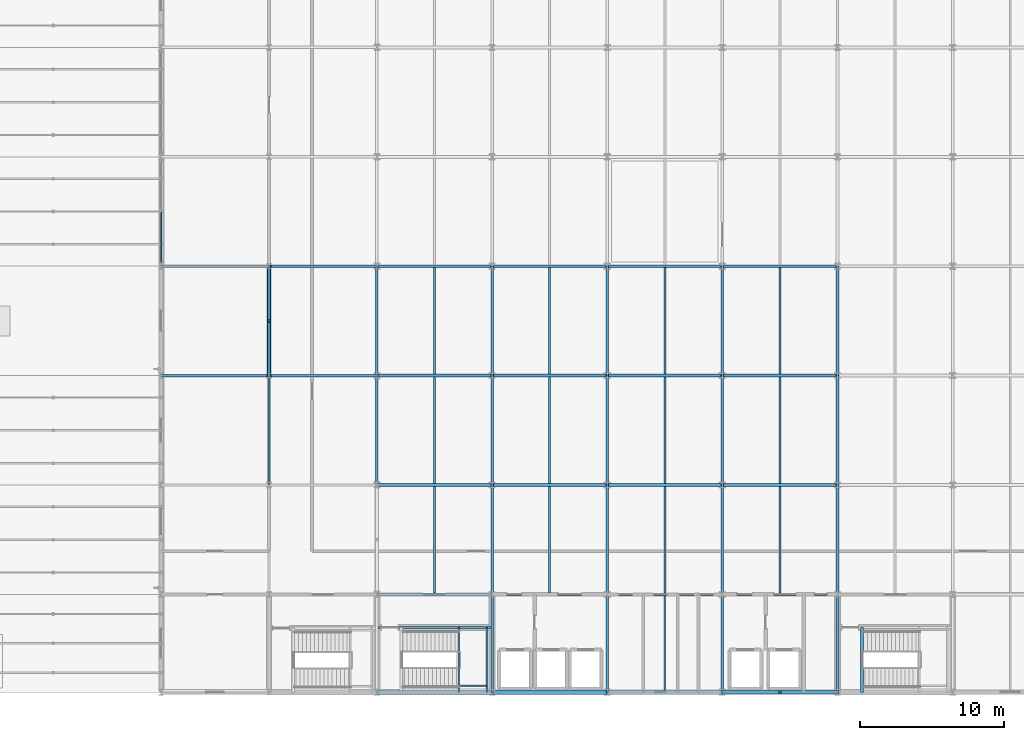
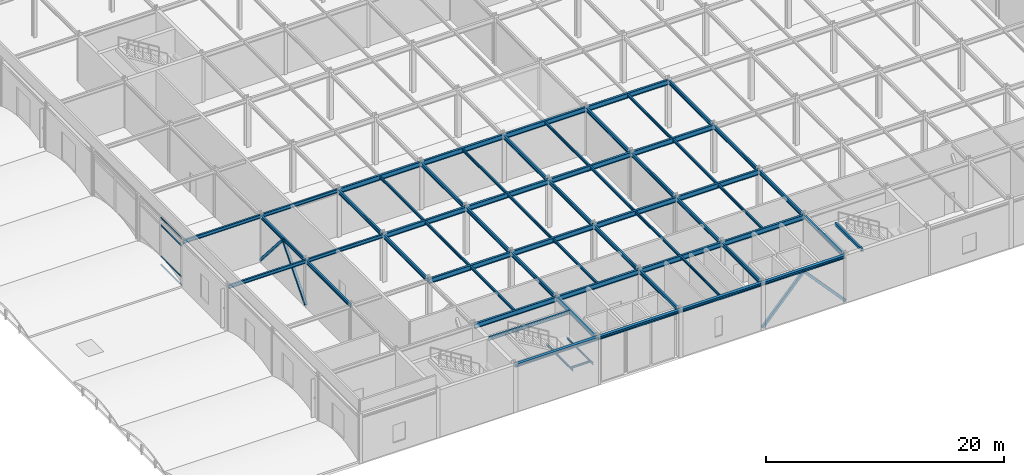
# One storey, part 17 of 79: 62 beams, 8 members, 1 element without a shape of its own.
"""IFC4 building model written with IfcOpenShell, lengths in metres."""

from ifc_helpers import new_model, si_unit, direction, frame, origin, origin_2d, place, context, subcontext, project, spatial, hollow_rectangle, i_section, extrude, material, layer, layer_set, material_profile, profile_set, type_object, element, aggregate, save


model = new_model("IFC4")

# Units and contexts
model_context = context("Model", 3, precision=1e-05, world=origin(), true_north=direction((0.0, 1.0)))
body_context = subcontext(model_context, "Body", "Model", "MODEL_VIEW")
ifc_project = project(units=[si_unit("LENGTHUNIT", "METRE"), si_unit("AREAUNIT", "SQUARE_METRE"), si_unit("VOLUMEUNIT", "CUBIC_METRE"), si_unit("PLANEANGLEUNIT", "RADIAN"), si_unit("MASSUNIT", "GRAM", prefix="KILO")], contexts=[model_context])

# Site, building, storey
site_placement = place(None, origin())
site = spatial("IfcSite", under=ifc_project, at=site_placement, CompositionType="ELEMENT")
building_placement = place(site_placement, origin())
building = spatial("IfcBuilding", under=site, at=building_placement, Name="Shalkamar Park Central Library", CompositionType="ELEMENT")
storey_placement = place(building_placement, frame((0.0, 0.0, 10.5)))
storey = spatial("IfcBuildingStorey", under=building, at=storey_placement, Name="L03", CompositionType="ELEMENT", Elevation=10.5)

# Beams
ifc_material_1 = material(Name="Steel S355", Category="steel")
ifc_material_profile_1 = material_profile(ifc_material_1, i_section(OverallWidth=0.10009765625, OverallDepth=0.199951171875, WebThickness=0.005615234375, FlangeThickness=0.008544921875, FilletRadius=0.011962890625, at=origin_2d()), Name="IPE 200")
ifc_profile_set_1 = profile_set([ifc_material_profile_1], Name="Steel S355")
beam_type_1 = type_object("IfcBeamType", Name="Composite Floor Joist IPE200", PredefinedType="JOIST", material=ifc_profile_set_1)
for number, where, z_axis, x_axis, name in (
    (1, (170.679931640625, 248.39990234375, 2.169921875), (0.0, 1.0, 0.0), (-1.0, 0.0, 0.0), "Stair Half-Landing Beam ST-T1-L03-1"),
    (2, (172.6201171875, 248.39990234375, 2.169921875), (0.0, 1.0, 0.0), (-1.0, 0.0, 0.0), "Stair Half-Landing Beam ST-T1-L03-2"),
):
    element("IfcBeam", number, at=place(storey_placement, frame(where, z_axis=z_axis, x_axis=x_axis)), inside=storey, type_object=beam_type_1, Name=name, PredefinedType="JOIST", context=body_context, shape_type="SweptSolid", body=[
        extrude(i_section(OverallWidth=0.10009765625, OverallDepth=0.199951171875, WebThickness=0.005615234375, FlangeThickness=0.008544921875, FilletRadius=0.011962890625, at=origin_2d()), origin(), (0.0, 0.0, 1.0), 4.5),
    ])
beam_1_placement = place(storey_placement, frame((170.679931640625, 248.85009765625, 2.169921875), z_axis=(1.0, 0.0, 0.0), x_axis=(0.0, 1.0, 0.0)))
element("IfcBeam", 3, at=beam_1_placement, inside=storey, type_object=beam_type_1, Name="Stair Half-Landing Cross Tie ST-T1-L03-3", PredefinedType="JOIST", context=body_context, shape_type="SweptSolid", body=[
    extrude(i_section(OverallWidth=0.10009765625, OverallDepth=0.199951171875, WebThickness=0.005615234375, FlangeThickness=0.008544921875, FilletRadius=0.011962890625, at=origin_2d()), origin(), (0.0, 0.0, 1.0), 1.940185546875),
])
ifc_material_profile_2 = material_profile(ifc_material_1, i_section(OverallWidth=0.1201171875, OverallDepth=0.239990234375, WebThickness=0.006103515625, FlangeThickness=0.009765625, FilletRadius=0.014892578125, at=origin_2d()), Name="IPE 240")
ifc_profile_set_2 = profile_set([ifc_material_profile_2], Name="Steel S355")
beam_type_2 = type_object("IfcBeamType", Name="Composite Floor Joist IPE240", PredefinedType="JOIST", material=ifc_profile_set_2)
beam_2_placement = place(storey_placement, frame((185.0, 248.548095703125, 4.719970703125), z_axis=(0.0, 1.0, 0.0), x_axis=(-1.0, 0.0, 0.0)))
element("IfcBeam", 4, at=beam_2_placement, inside=storey, type_object=beam_type_2, Name="Composite Joist 09/B-1 (L03)", PredefinedType="JOIST", context=body_context, shape_type="SweptSolid", body=[
    extrude(i_section(OverallWidth=0.1201171875, OverallDepth=0.239990234375, WebThickness=0.006103515625, FlangeThickness=0.009765625, FilletRadius=0.014892578125, at=origin_2d()), origin(), (0.0, 0.0, 1.0), 6.553955078125),
])
ifc_material_profile_3 = material_profile(ifc_material_1, i_section(OverallWidth=0.135009765625, OverallDepth=0.27001953125, WebThickness=0.006591796875, FlangeThickness=0.01025390625, FilletRadius=0.014892578125, at=origin_2d()), Name="IPE 270")
ifc_profile_set_3 = profile_set([ifc_material_profile_3], Name="Steel S355")
beam_type_3 = type_object("IfcBeamType", Name="Composite Floor Joist IPE270", PredefinedType="JOIST", material=ifc_profile_set_3)
beam_3_placement = place(storey_placement, frame((169.0, 255.298095703125, 4.705078125), z_axis=(0.0, 1.0, 0.0), x_axis=(-1.0, 0.0, 0.0)))
element("IfcBeam", 5, at=beam_3_placement, inside=storey, type_object=beam_type_3, Name="Composite Joist 07/C-1 (L03)", PredefinedType="JOIST", context=body_context, shape_type="SweptSolid", body=[
    extrude(i_section(OverallWidth=0.135009765625, OverallDepth=0.27001953125, WebThickness=0.006591796875, FlangeThickness=0.01025390625, FilletRadius=0.014892578125, at=origin_2d()), origin(), (0.0, 0.0, 1.0), 7.40380859375),
])
for number, where, z_axis, x_axis, name in (
    (6, (169.0, 262.89794921875, 4.705078125), (0.0, 1.0, 0.0), (-1.0, 0.0, 0.0), "Composite Joist 07/D-1 (L03)"),
    (7, (169.0, 270.498046875, 4.705078125), (0.0, 1.0, 0.0), (-1.0, 0.0, 0.0), "Composite Joist 07/E-1 (L03)"),
):
    element("IfcBeam", number, at=place(storey_placement, frame(where, z_axis=z_axis, x_axis=x_axis)), inside=storey, type_object=beam_type_3, Name=name, PredefinedType="JOIST", context=body_context, shape_type="SweptSolid", body=[
        extrude(i_section(OverallWidth=0.135009765625, OverallDepth=0.27001953125, WebThickness=0.006591796875, FlangeThickness=0.01025390625, FilletRadius=0.014892578125, at=origin_2d()), origin(), (0.0, 0.0, 1.0), 7.404052734375),
    ])
beam_4_placement = place(storey_placement, frame((177.0, 255.298095703125, 4.705078125), z_axis=(0.0, 1.0, 0.0), x_axis=(-1.0, 0.0, 0.0)))
element("IfcBeam", 8, at=beam_4_placement, inside=storey, type_object=beam_type_3, Name="Composite Joist 08/C-1 (L03)", PredefinedType="JOIST", context=body_context, shape_type="SweptSolid", body=[
    extrude(i_section(OverallWidth=0.135009765625, OverallDepth=0.27001953125, WebThickness=0.006591796875, FlangeThickness=0.01025390625, FilletRadius=0.014892578125, at=origin_2d()), origin(), (0.0, 0.0, 1.0), 7.40380859375),
])
for number, where, z_axis, x_axis, name in (
    (9, (177.0, 262.89794921875, 4.705078125), (0.0, 1.0, 0.0), (-1.0, 0.0, 0.0), "Composite Joist 08/D-1 (L03)"),
    (10, (177.0, 270.498046875, 4.705078125), (0.0, 1.0, 0.0), (-1.0, 0.0, 0.0), "Composite Joist 08/E-1 (L03)"),
):
    element("IfcBeam", number, at=place(storey_placement, frame(where, z_axis=z_axis, x_axis=x_axis)), inside=storey, type_object=beam_type_3, Name=name, PredefinedType="JOIST", context=body_context, shape_type="SweptSolid", body=[
        extrude(i_section(OverallWidth=0.135009765625, OverallDepth=0.27001953125, WebThickness=0.006591796875, FlangeThickness=0.01025390625, FilletRadius=0.014892578125, at=origin_2d()), origin(), (0.0, 0.0, 1.0), 7.404052734375),
    ])
beam_5_placement = place(storey_placement, frame((185.0, 255.298095703125, 4.705078125), z_axis=(0.0, 1.0, 0.0), x_axis=(-1.0, 0.0, 0.0)))
element("IfcBeam", 11, at=beam_5_placement, inside=storey, type_object=beam_type_3, Name="Composite Joist 09/C-1 (L03)", PredefinedType="JOIST", context=body_context, shape_type="SweptSolid", body=[
    extrude(i_section(OverallWidth=0.135009765625, OverallDepth=0.27001953125, WebThickness=0.006591796875, FlangeThickness=0.01025390625, FilletRadius=0.014892578125, at=origin_2d()), origin(), (0.0, 0.0, 1.0), 7.40380859375),
])
for number, where, z_axis, x_axis, name in (
    (12, (185.0, 262.89794921875, 4.705078125), (0.0, 1.0, 0.0), (-1.0, 0.0, 0.0), "Composite Joist 09/D-1 (L03)"),
    (13, (185.0, 270.498046875, 4.705078125), (0.0, 1.0, 0.0), (-1.0, 0.0, 0.0), "Composite Joist 09/E-1 (L03)"),
):
    element("IfcBeam", number, at=place(storey_placement, frame(where, z_axis=z_axis, x_axis=x_axis)), inside=storey, type_object=beam_type_3, Name=name, PredefinedType="JOIST", context=body_context, shape_type="SweptSolid", body=[
        extrude(i_section(OverallWidth=0.135009765625, OverallDepth=0.27001953125, WebThickness=0.006591796875, FlangeThickness=0.01025390625, FilletRadius=0.014892578125, at=origin_2d()), origin(), (0.0, 0.0, 1.0), 7.404052734375),
    ])
beam_6_placement = place(storey_placement, frame((193.0, 255.298095703125, 4.705078125), z_axis=(0.0, 1.0, 0.0), x_axis=(-1.0, 0.0, 0.0)))
element("IfcBeam", 14, at=beam_6_placement, inside=storey, type_object=beam_type_3, Name="Composite Joist 10/C-1 (L03)", PredefinedType="JOIST", context=body_context, shape_type="SweptSolid", body=[
    extrude(i_section(OverallWidth=0.135009765625, OverallDepth=0.27001953125, WebThickness=0.006591796875, FlangeThickness=0.01025390625, FilletRadius=0.014892578125, at=origin_2d()), origin(), (0.0, 0.0, 1.0), 7.40380859375),
])
for number, where, z_axis, x_axis, name in (
    (15, (193.0, 262.89794921875, 4.705078125), (0.0, 1.0, 0.0), (-1.0, 0.0, 0.0), "Composite Joist 10/D-1 (L03)"),
    (16, (193.0, 270.498046875, 4.705078125), (0.0, 1.0, 0.0), (-1.0, 0.0, 0.0), "Composite Joist 10/E-1 (L03)"),
):
    element("IfcBeam", number, at=place(storey_placement, frame(where, z_axis=z_axis, x_axis=x_axis)), inside=storey, type_object=beam_type_3, Name=name, PredefinedType="JOIST", context=body_context, shape_type="SweptSolid", body=[
        extrude(i_section(OverallWidth=0.135009765625, OverallDepth=0.27001953125, WebThickness=0.006591796875, FlangeThickness=0.01025390625, FilletRadius=0.014892578125, at=origin_2d()), origin(), (0.0, 0.0, 1.0), 7.404052734375),
    ])

# Curtain wall, members
ifc_material_2 = material(Name="Thermally broken aluminium and triple low-e curtain wall", Category="aluminium")
ifc_layer = layer(ifc_material_2, 0.2548828125)
ifc_layer_set = layer_set([ifc_layer], Name="UnitisedCurtainWall_49")
curtain_wall_type = type_object("IfcCurtainWallType", Name="Unitised Curtain Wall 49", PredefinedType="USERDEFINED", material=ifc_layer_set)
curtain_wall_placement = place(storey_placement, origin())
curtain_wall = element("IfcCurtainWall", 17, at=curtain_wall_placement, inside=storey, type_object=curtain_wall_type, Name="Unitised Curtain Wall CW-L03-060", ObjectType="UNITISED CURTAIN WALL", PredefinedType="USERDEFINED")
ifc_material_3 = material(Name="Aluminium 6060-T66", Category="aluminium")
ifc_material_profile_4 = material_profile(ifc_material_3, hollow_rectangle(XDim=0.06494140625, YDim=0.169921875, WallThickness=0.00390625, InnerFilletRadius=0.00390625, OuterFilletRadius=0.006103515625, at=origin_2d()), Name="ALU 65x170x4")
ifc_profile_set_4 = profile_set([ifc_material_profile_4], Name="Aluminium 6060-T66")
member_type_1 = type_object("IfcMemberType", Name="Curtain Wall Transom ALU65x170", PredefinedType="USERDEFINED", material=ifc_profile_set_4)
member_1_placement = place(storey_placement, frame((150.0, 278.283935546875, 0.032470703125), z_axis=(0.0, 1.0, 0.0), x_axis=(-1.0, 0.0, 0.0)))
member_1 = element("IfcMember", 18, at=member_1_placement, type_object=member_type_1, Name="CW-49 transom 1.1", ObjectType="TRANSOM", PredefinedType="USERDEFINED", context=body_context, shape_type="SweptSolid", body=[
    extrude(hollow_rectangle(XDim=0.06494140625, YDim=0.169921875, WallThickness=0.00390625, InnerFilletRadius=0.00390625, OuterFilletRadius=0.006103515625, at=origin_2d()), origin(), (0.0, 0.0, 1.0), 3.47607421875),
])
member_2_placement = place(storey_placement, frame((150.0, 278.283935546875, 0.89990234375), z_axis=(0.0, 1.0, 0.0), x_axis=(-1.0, 0.0, 0.0)))
member_2 = element("IfcMember", 19, at=member_2_placement, type_object=member_type_1, Name="CW-49 transom 1.2", ObjectType="TRANSOM", PredefinedType="USERDEFINED", context=body_context, shape_type="SweptSolid", body=[
    extrude(hollow_rectangle(XDim=0.06494140625, YDim=0.169921875, WallThickness=0.00390625, InnerFilletRadius=0.00390625, OuterFilletRadius=0.006103515625, at=origin_2d()), origin(), (0.0, 0.0, 1.0), 3.47607421875),
])
member_3_placement = place(storey_placement, frame((150.0, 278.283935546875, 4.10009765625), z_axis=(0.0, 1.0, 0.0), x_axis=(-1.0, 0.0, 0.0)))
member_3 = element("IfcMember", 20, at=member_3_placement, type_object=member_type_1, Name="CW-49 transom 1.3", ObjectType="TRANSOM", PredefinedType="USERDEFINED", context=body_context, shape_type="SweptSolid", body=[
    extrude(hollow_rectangle(XDim=0.06494140625, YDim=0.169921875, WallThickness=0.00390625, InnerFilletRadius=0.00390625, OuterFilletRadius=0.006103515625, at=origin_2d()), origin(), (0.0, 0.0, 1.0), 3.47607421875),
])
member_4_placement = place(storey_placement, frame((150.0, 278.283935546875, 4.8173828125), z_axis=(0.0, 1.0, 0.0), x_axis=(-1.0, 0.0, 0.0)))
member_4 = element("IfcMember", 21, at=member_4_placement, type_object=member_type_1, Name="CW-49 transom 1.4", ObjectType="TRANSOM", PredefinedType="USERDEFINED", context=body_context, shape_type="SweptSolid", body=[
    extrude(hollow_rectangle(XDim=0.06494140625, YDim=0.169921875, WallThickness=0.00390625, InnerFilletRadius=0.00390625, OuterFilletRadius=0.006103515625, at=origin_2d()), origin(), (0.0, 0.0, 1.0), 3.47607421875),
])
aggregate(curtain_wall, [member_1, member_2, member_3, member_4])

# Members
ifc_material_profile_5 = material_profile(ifc_material_1, hollow_rectangle(XDim=0.25, YDim=0.25, WallThickness=0.012451171875, InnerFilletRadius=0.012451171875, OuterFilletRadius=0.018798828125, at=origin_2d()), Name="SHS 250x250x12.5")
ifc_profile_set_5 = profile_set([ifc_material_profile_5], Name="Steel S355")
member_type_2 = type_object("IfcMemberType", Name="Diagonal Brace SHS250", PredefinedType="BRACE", material=ifc_profile_set_5)
for number, where, z_axis, x_axis, name in (
    (22, (189.0, 248.39990234375, 0.14990234375), (0.67349898069, 0.0, 0.739188151292), (0.0, 1.0, 0.0), "Chevron Brace TW-S Leg A (L03)"),
    (23, (197.0, 248.39990234375, 0.14990234375), (-0.67349898069, 0.0, 0.739188151292), (0.0, -1.0, 0.0), "Chevron Brace TW-S Leg B (L03)"),
):
    element("IfcMember", number, at=place(storey_placement, frame(where, z_axis=z_axis, x_axis=x_axis)), inside=storey, type_object=member_type_2, Name=name, PredefinedType="BRACE", context=body_context, shape_type="SweptSolid", body=[
        extrude(hollow_rectangle(XDim=0.25, YDim=0.25, WallThickness=0.012451171875, InnerFilletRadius=0.012451171875, OuterFilletRadius=0.018798828125, at=origin_2d()), origin(), (0.0, 0.0, 1.0), 5.939208984375),
    ])
for number, where, z_axis, x_axis, name in (
    (24, (157.5, 270.39990234375, 0.14990234375), (0.0, 0.654464586562, 0.756092656316), (-1.0, 0.0, 0.0), "Chevron Brace PD-W Leg A (L03)"),
    (25, (157.5, 278.0, 0.14990234375), (0.0, -0.654464586562, 0.756092656316), (1.0, 0.0, 0.0), "Chevron Brace PD-W Leg B (L03)"),
):
    element("IfcMember", number, at=place(storey_placement, frame(where, z_axis=z_axis, x_axis=x_axis)), inside=storey, type_object=member_type_2, Name=name, PredefinedType="BRACE", context=body_context, shape_type="SweptSolid", body=[
        extrude(hollow_rectangle(XDim=0.25, YDim=0.25, WallThickness=0.012451171875, InnerFilletRadius=0.012451171875, OuterFilletRadius=0.018798828125, at=origin_2d()), origin(), (0.0, 0.0, 1.0), 5.806396484375),
    ])

# Beams
ifc_material_profile_6 = material_profile(ifc_material_1, i_section(OverallWidth=0.300048828125, OverallDepth=0.31005859375, WebThickness=0.009033203125, FlangeThickness=0.015380859375, FilletRadius=0.027099609375, at=origin_2d()), Name="HEA 320")
ifc_profile_set_6 = profile_set([ifc_material_profile_6], Name="Steel S355")
beam_type_4 = type_object("IfcBeamType", Name="Perimeter Spandrel Beam HEA320", PredefinedType="SPANDREL", material=ifc_profile_set_6)
for number, where, z_axis, x_axis, name in (
    (26, (165.0, 248.39990234375, 4.68505859375), (1.0, 0.0, 0.0), (0.0, 1.0, 0.0), "Beam B:07-08 (L03)"),
    (27, (173.0, 248.39990234375, 4.68505859375), (1.0, 0.0, 0.0), (0.0, 1.0, 0.0), "Beam B:08-09 (L03)"),
    (28, (181.0, 248.39990234375, 4.68505859375), (1.0, 0.0, 0.0), (0.0, 1.0, 0.0), "Beam B:09-10 (L03)"),
    (29, (189.0, 248.39990234375, 4.68505859375), (1.0, 0.0, 0.0), (0.0, 1.0, 0.0), "Beam B:10-11 (L03)"),
):
    element("IfcBeam", number, at=place(storey_placement, frame(where, z_axis=z_axis, x_axis=x_axis)), inside=storey, type_object=beam_type_4, Name=name, PredefinedType="SPANDREL", context=body_context, shape_type="SweptSolid", body=[
        extrude(i_section(OverallWidth=0.300048828125, OverallDepth=0.31005859375, WebThickness=0.009033203125, FlangeThickness=0.015380859375, FilletRadius=0.027099609375, at=origin_2d()), origin(), (0.0, 0.0, 1.0), 8.0),
    ])
ifc_material_profile_7 = material_profile(ifc_material_1, i_section(OverallWidth=0.169921875, OverallDepth=0.360107421875, WebThickness=0.008056640625, FlangeThickness=0.0126953125, FilletRadius=0.01806640625, at=origin_2d()), Name="IPE 360")
ifc_profile_set_7 = profile_set([ifc_material_profile_7], Name="Steel S355")
beam_type_5 = type_object("IfcBeamType", Name="Primary Girder IPE360", PredefinedType="BEAM", material=ifc_profile_set_7)
for number, where, z_axis, x_axis, name in (
    (30, (150.0, 270.39990234375, 4.659912109375), (1.0, 0.0, 0.0), (0.0, 1.0, 0.0), "Beam E:05-06 (L03)"),
    (31, (157.5, 270.39990234375, 4.659912109375), (1.0, 0.0, 0.0), (0.0, 1.0, 0.0), "Beam E:06-07 (L03)"),
    (32, (150.0, 278.0, 4.659912109375), (1.0, 0.0, 0.0), (0.0, 1.0, 0.0), "Beam F:05-06 (L03)"),
    (33, (157.5, 278.0, 4.659912109375), (1.0, 0.0, 0.0), (0.0, 1.0, 0.0), "Beam F:06-07 (L03)"),
):
    element("IfcBeam", number, at=place(storey_placement, frame(where, z_axis=z_axis, x_axis=x_axis)), inside=storey, type_object=beam_type_5, Name=name, PredefinedType="BEAM", context=body_context, shape_type="SweptSolid", body=[
        extrude(i_section(OverallWidth=0.169921875, OverallDepth=0.360107421875, WebThickness=0.008056640625, FlangeThickness=0.0126953125, FilletRadius=0.01806640625, at=origin_2d()), origin(), (0.0, 0.0, 1.0), 7.5),
    ])
beam_7_placement = place(storey_placement, frame((157.5, 262.800048828125, 4.659912109375), z_axis=(0.0, 1.0, 0.0), x_axis=(-1.0, 0.0, 0.0)))
element("IfcBeam", 34, at=beam_7_placement, inside=storey, type_object=beam_type_5, Name="Beam 06:D-E (L03)", PredefinedType="BEAM", context=body_context, shape_type="SweptSolid", body=[
    extrude(i_section(OverallWidth=0.169921875, OverallDepth=0.360107421875, WebThickness=0.008056640625, FlangeThickness=0.0126953125, FilletRadius=0.01806640625, at=origin_2d()), origin(), (0.0, 0.0, 1.0), 7.599853515625),
])
beam_8_placement = place(storey_placement, frame((157.5, 270.39990234375, 4.659912109375), z_axis=(0.0, 1.0, 0.0), x_axis=(-1.0, 0.0, 0.0)))
element("IfcBeam", 35, at=beam_8_placement, inside=storey, type_object=beam_type_5, Name="Beam 06:E-F (L03)", PredefinedType="BEAM", context=body_context, shape_type="SweptSolid", body=[
    extrude(i_section(OverallWidth=0.169921875, OverallDepth=0.360107421875, WebThickness=0.008056640625, FlangeThickness=0.0126953125, FilletRadius=0.01806640625, at=origin_2d()), origin(), (0.0, 0.0, 1.0), 7.60009765625),
])
beam_9_placement = place(storey_placement, frame((165.087890625, 252.89990234375, 4.659912109375), z_axis=(1.0, 0.0, 0.0), x_axis=(0.0, 1.0, 0.0)))
element("IfcBeam", 36, at=beam_9_placement, inside=storey, type_object=beam_type_5, Name="CORE-T1 Stairwell Divider Beam (L03)", PredefinedType="BEAM", context=body_context, shape_type="SweptSolid", body=[
    extrude(i_section(OverallWidth=0.169921875, OverallDepth=0.360107421875, WebThickness=0.008056640625, FlangeThickness=0.0126953125, FilletRadius=0.01806640625, at=origin_2d()), origin(), (0.0, 0.0, 1.0), 7.82421875),
])
ifc_material_profile_8 = material_profile(ifc_material_1, i_section(OverallWidth=0.179931640625, OverallDepth=0.39990234375, WebThickness=0.008544921875, FlangeThickness=0.013427734375, FilletRadius=0.02099609375, at=origin_2d()), Name="IPE 400")
ifc_profile_set_8 = profile_set([ifc_material_profile_8], Name="Steel S355")
beam_type_6 = type_object("IfcBeamType", Name="Primary Girder IPE400", PredefinedType="BEAM", material=ifc_profile_set_8)
beam_10_placement = place(storey_placement, frame((165.0, 262.800048828125, 4.639892578125), z_axis=(0.0, 1.0, 0.0), x_axis=(-1.0, 0.0, 0.0)))
element("IfcBeam", 37, at=beam_10_placement, inside=storey, type_object=beam_type_6, Name="Beam 07:D-E (L03)", PredefinedType="BEAM", context=body_context, shape_type="SweptSolid", body=[
    extrude(i_section(OverallWidth=0.179931640625, OverallDepth=0.39990234375, WebThickness=0.008544921875, FlangeThickness=0.013427734375, FilletRadius=0.02099609375, at=origin_2d()), origin(), (0.0, 0.0, 1.0), 7.599853515625),
])
beam_11_placement = place(storey_placement, frame((165.0, 270.39990234375, 4.639892578125), z_axis=(0.0, 1.0, 0.0), x_axis=(-1.0, 0.0, 0.0)))
element("IfcBeam", 38, at=beam_11_placement, inside=storey, type_object=beam_type_6, Name="Beam 07:E-F (L03)", PredefinedType="BEAM", context=body_context, shape_type="SweptSolid", body=[
    extrude(i_section(OverallWidth=0.179931640625, OverallDepth=0.39990234375, WebThickness=0.008544921875, FlangeThickness=0.013427734375, FilletRadius=0.02099609375, at=origin_2d()), origin(), (0.0, 0.0, 1.0), 7.60009765625),
])
beam_12_placement = place(storey_placement, frame((173.0, 248.39990234375, 4.639892578125), z_axis=(0.0, 1.0, 0.0), x_axis=(-1.0, 0.0, 0.0)))
element("IfcBeam", 39, at=beam_12_placement, inside=storey, type_object=beam_type_6, Name="Beam 08:B-C (L03)", PredefinedType="BEAM", context=body_context, shape_type="SweptSolid", body=[
    extrude(i_section(OverallWidth=0.179931640625, OverallDepth=0.39990234375, WebThickness=0.008544921875, FlangeThickness=0.013427734375, FilletRadius=0.02099609375, at=origin_2d()), origin(), (0.0, 0.0, 1.0), 6.800048828125),
])
beam_13_placement = place(storey_placement, frame((173.0, 255.199951171875, 4.639892578125), z_axis=(0.0, 1.0, 0.0), x_axis=(-1.0, 0.0, 0.0)))
element("IfcBeam", 40, at=beam_13_placement, inside=storey, type_object=beam_type_6, Name="Beam 08:C-D (L03)", PredefinedType="BEAM", context=body_context, shape_type="SweptSolid", body=[
    extrude(i_section(OverallWidth=0.179931640625, OverallDepth=0.39990234375, WebThickness=0.008544921875, FlangeThickness=0.013427734375, FilletRadius=0.02099609375, at=origin_2d()), origin(), (0.0, 0.0, 1.0), 7.60009765625),
])
beam_14_placement = place(storey_placement, frame((173.0, 262.800048828125, 4.639892578125), z_axis=(0.0, 1.0, 0.0), x_axis=(-1.0, 0.0, 0.0)))
element("IfcBeam", 41, at=beam_14_placement, inside=storey, type_object=beam_type_6, Name="Beam 08:D-E (L03)", PredefinedType="BEAM", context=body_context, shape_type="SweptSolid", body=[
    extrude(i_section(OverallWidth=0.179931640625, OverallDepth=0.39990234375, WebThickness=0.008544921875, FlangeThickness=0.013427734375, FilletRadius=0.02099609375, at=origin_2d()), origin(), (0.0, 0.0, 1.0), 7.599853515625),
])
beam_15_placement = place(storey_placement, frame((173.0, 270.39990234375, 4.639892578125), z_axis=(0.0, 1.0, 0.0), x_axis=(-1.0, 0.0, 0.0)))
element("IfcBeam", 42, at=beam_15_placement, inside=storey, type_object=beam_type_6, Name="Beam 08:E-F (L03)", PredefinedType="BEAM", context=body_context, shape_type="SweptSolid", body=[
    extrude(i_section(OverallWidth=0.179931640625, OverallDepth=0.39990234375, WebThickness=0.008544921875, FlangeThickness=0.013427734375, FilletRadius=0.02099609375, at=origin_2d()), origin(), (0.0, 0.0, 1.0), 7.60009765625),
])
beam_16_placement = place(storey_placement, frame((181.0, 248.39990234375, 4.639892578125), z_axis=(0.0, 1.0, 0.0), x_axis=(-1.0, 0.0, 0.0)))
element("IfcBeam", 43, at=beam_16_placement, inside=storey, type_object=beam_type_6, Name="Beam 09:B-C (L03)", PredefinedType="BEAM", context=body_context, shape_type="SweptSolid", body=[
    extrude(i_section(OverallWidth=0.179931640625, OverallDepth=0.39990234375, WebThickness=0.008544921875, FlangeThickness=0.013427734375, FilletRadius=0.02099609375, at=origin_2d()), origin(), (0.0, 0.0, 1.0), 6.800048828125),
])
beam_17_placement = place(storey_placement, frame((181.0, 255.199951171875, 4.639892578125), z_axis=(0.0, 1.0, 0.0), x_axis=(-1.0, 0.0, 0.0)))
element("IfcBeam", 44, at=beam_17_placement, inside=storey, type_object=beam_type_6, Name="Beam 09:C-D (L03)", PredefinedType="BEAM", context=body_context, shape_type="SweptSolid", body=[
    extrude(i_section(OverallWidth=0.179931640625, OverallDepth=0.39990234375, WebThickness=0.008544921875, FlangeThickness=0.013427734375, FilletRadius=0.02099609375, at=origin_2d()), origin(), (0.0, 0.0, 1.0), 7.60009765625),
])
beam_18_placement = place(storey_placement, frame((181.0, 262.800048828125, 4.639892578125), z_axis=(0.0, 1.0, 0.0), x_axis=(-1.0, 0.0, 0.0)))
element("IfcBeam", 45, at=beam_18_placement, inside=storey, type_object=beam_type_6, Name="Beam 09:D-E (L03)", PredefinedType="BEAM", context=body_context, shape_type="SweptSolid", body=[
    extrude(i_section(OverallWidth=0.179931640625, OverallDepth=0.39990234375, WebThickness=0.008544921875, FlangeThickness=0.013427734375, FilletRadius=0.02099609375, at=origin_2d()), origin(), (0.0, 0.0, 1.0), 7.599853515625),
])
beam_19_placement = place(storey_placement, frame((181.0, 270.39990234375, 4.639892578125), z_axis=(0.0, 1.0, 0.0), x_axis=(-1.0, 0.0, 0.0)))
element("IfcBeam", 46, at=beam_19_placement, inside=storey, type_object=beam_type_6, Name="Beam 09:E-F (L03)", PredefinedType="BEAM", context=body_context, shape_type="SweptSolid", body=[
    extrude(i_section(OverallWidth=0.179931640625, OverallDepth=0.39990234375, WebThickness=0.008544921875, FlangeThickness=0.013427734375, FilletRadius=0.02099609375, at=origin_2d()), origin(), (0.0, 0.0, 1.0), 7.60009765625),
])
beam_20_placement = place(storey_placement, frame((189.0, 248.39990234375, 4.639892578125), z_axis=(0.0, 1.0, 0.0), x_axis=(-1.0, 0.0, 0.0)))
element("IfcBeam", 47, at=beam_20_placement, inside=storey, type_object=beam_type_6, Name="Beam 10:B-C (L03)", PredefinedType="BEAM", context=body_context, shape_type="SweptSolid", body=[
    extrude(i_section(OverallWidth=0.179931640625, OverallDepth=0.39990234375, WebThickness=0.008544921875, FlangeThickness=0.013427734375, FilletRadius=0.02099609375, at=origin_2d()), origin(), (0.0, 0.0, 1.0), 6.800048828125),
])
beam_21_placement = place(storey_placement, frame((189.0, 255.199951171875, 4.639892578125), z_axis=(0.0, 1.0, 0.0), x_axis=(-1.0, 0.0, 0.0)))
element("IfcBeam", 48, at=beam_21_placement, inside=storey, type_object=beam_type_6, Name="Beam 10:C-D (L03)", PredefinedType="BEAM", context=body_context, shape_type="SweptSolid", body=[
    extrude(i_section(OverallWidth=0.179931640625, OverallDepth=0.39990234375, WebThickness=0.008544921875, FlangeThickness=0.013427734375, FilletRadius=0.02099609375, at=origin_2d()), origin(), (0.0, 0.0, 1.0), 7.60009765625),
])
beam_22_placement = place(storey_placement, frame((189.0, 262.800048828125, 4.639892578125), z_axis=(0.0, 1.0, 0.0), x_axis=(-1.0, 0.0, 0.0)))
element("IfcBeam", 49, at=beam_22_placement, inside=storey, type_object=beam_type_6, Name="Beam 10:D-E (L03)", PredefinedType="BEAM", context=body_context, shape_type="SweptSolid", body=[
    extrude(i_section(OverallWidth=0.179931640625, OverallDepth=0.39990234375, WebThickness=0.008544921875, FlangeThickness=0.013427734375, FilletRadius=0.02099609375, at=origin_2d()), origin(), (0.0, 0.0, 1.0), 7.599853515625),
])
beam_23_placement = place(storey_placement, frame((189.0, 270.39990234375, 4.639892578125), z_axis=(0.0, 1.0, 0.0), x_axis=(-1.0, 0.0, 0.0)))
element("IfcBeam", 50, at=beam_23_placement, inside=storey, type_object=beam_type_6, Name="Beam 10:E-F (L03)", PredefinedType="BEAM", context=body_context, shape_type="SweptSolid", body=[
    extrude(i_section(OverallWidth=0.179931640625, OverallDepth=0.39990234375, WebThickness=0.008544921875, FlangeThickness=0.013427734375, FilletRadius=0.02099609375, at=origin_2d()), origin(), (0.0, 0.0, 1.0), 7.60009765625),
])
beam_24_placement = place(storey_placement, frame((197.0, 248.39990234375, 4.639892578125), z_axis=(0.0, 1.0, 0.0), x_axis=(-1.0, 0.0, 0.0)))
element("IfcBeam", 51, at=beam_24_placement, inside=storey, type_object=beam_type_6, Name="Beam 11:B-C (L03)", PredefinedType="BEAM", context=body_context, shape_type="SweptSolid", body=[
    extrude(i_section(OverallWidth=0.179931640625, OverallDepth=0.39990234375, WebThickness=0.008544921875, FlangeThickness=0.013427734375, FilletRadius=0.02099609375, at=origin_2d()), origin(), (0.0, 0.0, 1.0), 6.800048828125),
])
beam_25_placement = place(storey_placement, frame((197.0, 255.199951171875, 4.639892578125), z_axis=(0.0, 1.0, 0.0), x_axis=(-1.0, 0.0, 0.0)))
element("IfcBeam", 52, at=beam_25_placement, inside=storey, type_object=beam_type_6, Name="Beam 11:C-D (L03)", PredefinedType="BEAM", context=body_context, shape_type="SweptSolid", body=[
    extrude(i_section(OverallWidth=0.179931640625, OverallDepth=0.39990234375, WebThickness=0.008544921875, FlangeThickness=0.013427734375, FilletRadius=0.02099609375, at=origin_2d()), origin(), (0.0, 0.0, 1.0), 7.60009765625),
])
beam_26_placement = place(storey_placement, frame((197.0, 262.800048828125, 4.639892578125), z_axis=(0.0, 1.0, 0.0), x_axis=(-1.0, 0.0, 0.0)))
element("IfcBeam", 53, at=beam_26_placement, inside=storey, type_object=beam_type_6, Name="Beam 11:D-E (L03)", PredefinedType="BEAM", context=body_context, shape_type="SweptSolid", body=[
    extrude(i_section(OverallWidth=0.179931640625, OverallDepth=0.39990234375, WebThickness=0.008544921875, FlangeThickness=0.013427734375, FilletRadius=0.02099609375, at=origin_2d()), origin(), (0.0, 0.0, 1.0), 7.599853515625),
])
beam_27_placement = place(storey_placement, frame((197.0, 270.39990234375, 4.639892578125), z_axis=(0.0, 1.0, 0.0), x_axis=(-1.0, 0.0, 0.0)))
element("IfcBeam", 54, at=beam_27_placement, inside=storey, type_object=beam_type_6, Name="Beam 11:E-F (L03)", PredefinedType="BEAM", context=body_context, shape_type="SweptSolid", body=[
    extrude(i_section(OverallWidth=0.179931640625, OverallDepth=0.39990234375, WebThickness=0.008544921875, FlangeThickness=0.013427734375, FilletRadius=0.02099609375, at=origin_2d()), origin(), (0.0, 0.0, 1.0), 7.60009765625),
])
ifc_material_profile_9 = material_profile(ifc_material_1, i_section(OverallWidth=0.199951171875, OverallDepth=0.5, WebThickness=0.01025390625, FlangeThickness=0.01611328125, FilletRadius=0.02099609375, at=origin_2d()), Name="IPE 500")
ifc_profile_set_9 = profile_set([ifc_material_profile_9], Name="Steel S355")
beam_type_7 = type_object("IfcBeamType", Name="Primary Girder IPE500", PredefinedType="BEAM", material=ifc_profile_set_9)
for number, where, z_axis, x_axis, name in (
    (55, (165.0, 255.199951171875, 4.590087890625), (1.0, 0.0, 0.0), (0.0, 1.0, 0.0), "Beam C:07-08 (L03)"),
    (56, (173.0, 255.199951171875, 4.590087890625), (1.0, 0.0, 0.0), (0.0, 1.0, 0.0), "Beam C:08-09 (L03)"),
    (57, (181.0, 255.199951171875, 4.590087890625), (1.0, 0.0, 0.0), (0.0, 1.0, 0.0), "Beam C:09-10 (L03)"),
    (58, (189.0, 255.199951171875, 4.590087890625), (1.0, 0.0, 0.0), (0.0, 1.0, 0.0), "Beam C:10-11 (L03)"),
    (59, (165.0, 262.800048828125, 4.590087890625), (1.0, 0.0, 0.0), (0.0, 1.0, 0.0), "Beam D:07-08 (L03)"),
    (60, (173.0, 262.800048828125, 4.590087890625), (1.0, 0.0, 0.0), (0.0, 1.0, 0.0), "Beam D:08-09 (L03)"),
    (61, (181.0, 262.800048828125, 4.590087890625), (1.0, 0.0, 0.0), (0.0, 1.0, 0.0), "Beam D:09-10 (L03)"),
    (62, (189.0, 262.800048828125, 4.590087890625), (1.0, 0.0, 0.0), (0.0, 1.0, 0.0), "Beam D:10-11 (L03)"),
    (63, (165.0, 270.39990234375, 4.590087890625), (1.0, 0.0, 0.0), (0.0, 1.0, 0.0), "Beam E:07-08 (L03)"),
    (64, (173.0, 270.39990234375, 4.590087890625), (1.0, 0.0, 0.0), (0.0, 1.0, 0.0), "Beam E:08-09 (L03)"),
    (65, (181.0, 270.39990234375, 4.590087890625), (1.0, 0.0, 0.0), (0.0, 1.0, 0.0), "Beam E:09-10 (L03)"),
    (66, (189.0, 270.39990234375, 4.590087890625), (1.0, 0.0, 0.0), (0.0, 1.0, 0.0), "Beam E:10-11 (L03)"),
    (67, (165.0, 278.0, 4.590087890625), (1.0, 0.0, 0.0), (0.0, 1.0, 0.0), "Beam F:07-08 (L03)"),
    (68, (173.0, 278.0, 4.590087890625), (1.0, 0.0, 0.0), (0.0, 1.0, 0.0), "Beam F:08-09 (L03)"),
    (69, (181.0, 278.0, 4.590087890625), (1.0, 0.0, 0.0), (0.0, 1.0, 0.0), "Beam F:09-10 (L03)"),
    (70, (189.0, 278.0, 4.590087890625), (1.0, 0.0, 0.0), (0.0, 1.0, 0.0), "Beam F:10-11 (L03)"),
):
    element("IfcBeam", number, at=place(storey_placement, frame(where, z_axis=z_axis, x_axis=x_axis)), inside=storey, type_object=beam_type_7, Name=name, PredefinedType="BEAM", context=body_context, shape_type="SweptSolid", body=[
        extrude(i_section(OverallWidth=0.199951171875, OverallDepth=0.5, WebThickness=0.01025390625, FlangeThickness=0.01611328125, FilletRadius=0.02099609375, at=origin_2d()), origin(), (0.0, 0.0, 1.0), 8.0),
    ])
ifc_material_profile_10 = material_profile(ifc_material_1, hollow_rectangle(XDim=0.199951171875, YDim=0.300048828125, WallThickness=0.011962890625, InnerFilletRadius=0.011962890625, OuterFilletRadius=0.01806640625, at=origin_2d()), Name="RHS 300x200x12")
ifc_profile_set_10 = profile_set([ifc_material_profile_10], Name="Steel S355")
beam_type_8 = type_object("IfcBeamType", Name="Stair Trimmer Box RHS300x200", PredefinedType="BEAM", material=ifc_profile_set_10)
beam_28_placement = place(storey_placement, frame((198.699951171875, 248.39990234375, 4.68994140625), z_axis=(0.0, 1.0, 0.0), x_axis=(-1.0, 0.0, 0.0)))
element("IfcBeam", 71, at=beam_28_placement, inside=storey, type_object=beam_type_8, Name="Stair Arrival Trimmer Girder ST-T2-L03", PredefinedType="BEAM", context=body_context, shape_type="SweptSolid", body=[
    extrude(hollow_rectangle(XDim=0.199951171875, YDim=0.300048828125, WallThickness=0.011962890625, InnerFilletRadius=0.011962890625, OuterFilletRadius=0.01806640625, at=origin_2d()), origin(), (0.0, 0.0, 1.0), 4.5),
])

save(model, "model.ifc")
